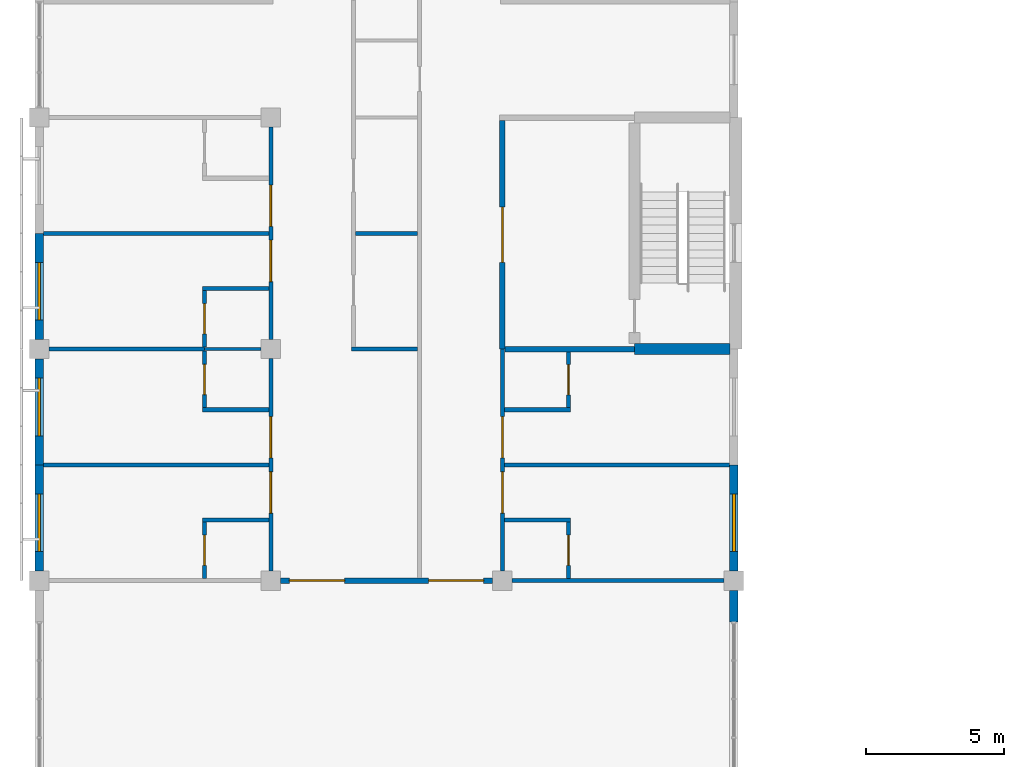
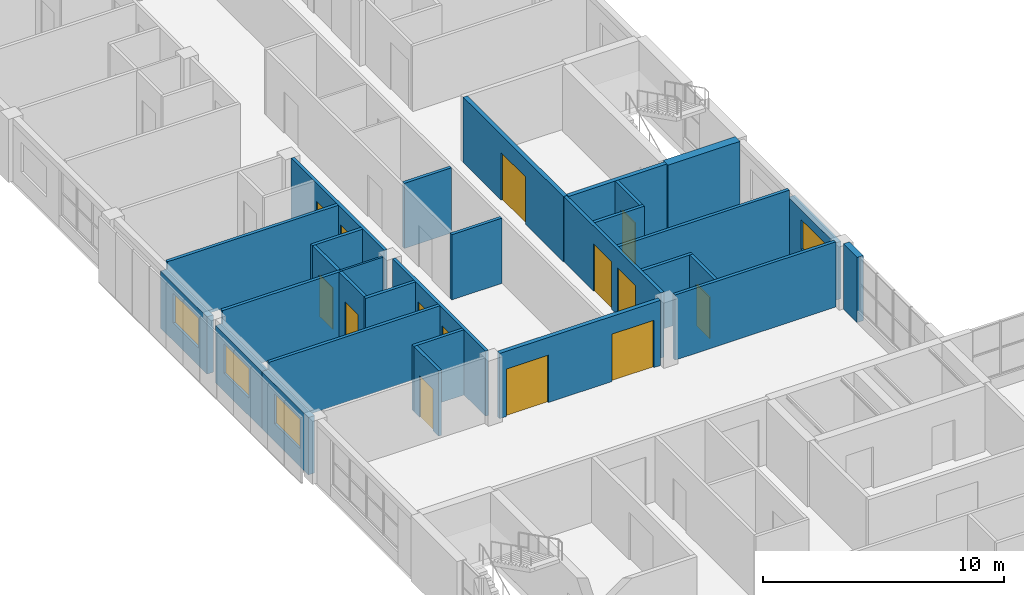
# One storey, part 29 of 48: 30 walls, 14 doors, 4 windows, 18 openings.
"""IFC4 building model written with IfcOpenShell, lengths in metres."""

from ifc_helpers import new_model, si_unit, direction, frame, frame_2d, origin, place, context, subcontext, project, spatial, rectangle, extrude, material, layer, layer_set, type_object, element, fill, save


model = new_model("IFC4")

# Units and contexts
model_context = context("Model", 3, precision=1e-05, world=origin(), true_north=direction((0.0, 1.0)))
body_context = subcontext(model_context, "Body", "Model", "MODEL_VIEW")
ifc_project = project(units=[si_unit("LENGTHUNIT", "METRE"), si_unit("AREAUNIT", "SQUARE_METRE"), si_unit("VOLUMEUNIT", "CUBIC_METRE"), si_unit("PLANEANGLEUNIT", "RADIAN"), si_unit("MASSUNIT", "GRAM", prefix="KILO")], contexts=[model_context])

# Site, building, storey
site_placement = place(None, origin())
site = spatial("IfcSite", under=ifc_project, at=site_placement, CompositionType="ELEMENT")
building_placement = place(site_placement, origin())
building = spatial("IfcBuilding", under=site, at=building_placement, Name="Yavir Park General Hospital", CompositionType="ELEMENT")
storey_placement = place(building_placement, frame((0.0, 0.0, 26.10009765625)))
storey = spatial("IfcBuildingStorey", under=building, at=storey_placement, Name="L06", CompositionType="ELEMENT", Elevation=26.10009765625)

# Wall, openings, doors
ifc_material_1 = material(Name="Double gypsum board fire partition on steel studs", Category="steel")
ifc_layer_1 = layer(ifc_material_1, 0.199951171875)
ifc_layer_set_1 = layer_set([ifc_layer_1], Name="Double gypsum board fire partition on steel studs")
wall_type_1 = type_object("IfcWallType", Name="Fire-rated partition 200, EI 60", PredefinedType="PARTITIONING", material=ifc_layer_set_1)
wall_1_placement = place(storey_placement, frame((8.75, 33.60009765625, 0.0), z_axis=(0.0, 0.0, 1.0), x_axis=(1.0, 0.0, 0.0)))
wall_1 = element("IfcWall", 1, at=wall_1_placement, inside=storey, type_object=wall_type_1, Name="FP20 L06-060", PredefinedType="PARTITIONING", context=body_context, shape_type="SweptSolid", body=[
    extrude(rectangle(XDim=7.699951171875, YDim=0.199951171875, at=frame_2d((3.85009765625, 0.0))), origin(), (0.0, 0.0, 1.0), 3.2998046875),
])
opening_1_placement = place(wall_1_placement, frame((0.324951171875, 0.0, 0.0)))
opening_1 = element("IfcOpeningElement", 2, at=opening_1_placement, cuts=wall_1, Name="Opening L06.D067", PredefinedType="OPENING", context=body_context, shape_type="SweptSolid", body=[
    extrude(rectangle(XDim=2.0, YDim=2.39990234375, at=frame_2d((1.0, 1.199951171875))), frame((0.0, 0.10986328125, 0.0), z_axis=(0.0, -1.0, 0.0), x_axis=(1.0, 0.0, 0.0)), (0.0, 0.0, 1.0), 0.219970703125),
])
opening_2_placement = place(wall_1_placement, frame((5.375, 0.0, 0.0)))
opening_2 = element("IfcOpeningElement", 3, at=opening_2_placement, cuts=wall_1, Name="Opening L06.D068", PredefinedType="OPENING", context=body_context, shape_type="SweptSolid", body=[
    extrude(rectangle(XDim=2.0, YDim=2.39990234375, at=frame_2d((1.0, 1.199951171875))), frame((0.0, 0.10986328125, 0.0), z_axis=(0.0, -1.0, 0.0), x_axis=(1.0, 0.0, 0.0)), (0.0, 0.0, 1.0), 0.219970703125),
])
ifc_material_2 = material(Name="Steel frame, fire-resisting leaves with vision panels", Category="steel")
door_type_1 = type_object("IfcDoorType", Name="Double fire door with vision panels 2000 x 2400, EI 60", OperationType="DOUBLE_DOOR_SINGLE_SWING", PredefinedType="DOOR", material=ifc_material_2)
door_1_placement = place(opening_1_placement, origin())
door_1 = element("IfcDoor", 4, at=door_1_placement, inside=storey, type_object=door_type_1, Name="L06.D067", OperationType="SINGLE_SWING_LEFT", OverallHeight=2.39990234375, OverallWidth=2.0, PredefinedType="DOOR", context=body_context, shape_type="SweptSolid", body=[
    extrude(rectangle(XDim=2.0, YDim=2.39990234375, at=frame_2d((1.0, 1.199951171875))), frame((0.0, 0.030029296875, 0.0), z_axis=(0.0, -1.0, 0.0), x_axis=(1.0, 0.0, 0.0)), (0.0, 0.0, 1.0), 0.06005859375),
])
fill(opening_1, door_1)
door_2_placement = place(opening_2_placement, origin())
door_2 = element("IfcDoor", 5, at=door_2_placement, inside=storey, type_object=door_type_1, Name="L06.D068", OperationType="SINGLE_SWING_RIGHT", OverallHeight=2.39990234375, OverallWidth=2.0, PredefinedType="DOOR", context=body_context, shape_type="SweptSolid", body=[
    extrude(rectangle(XDim=2.0, YDim=2.39990234375, at=frame_2d((1.0, 1.199951171875))), frame((0.0, 0.030029296875, 0.0), z_axis=(0.0, -1.0, 0.0), x_axis=(1.0, 0.0, 0.0)), (0.0, 0.0, 1.0), 0.06005859375),
])
fill(opening_2, door_2)

# Wall
wall_2_placement = place(storey_placement, frame((16.89990234375, 42.0, 0.0), z_axis=(0.0, 0.0, 1.0), x_axis=(1.0, 0.0, 0.0)))
element("IfcWall", 6, at=wall_2_placement, inside=storey, type_object=wall_type_1, Name="FP20 L06-071", PredefinedType="PARTITIONING", context=body_context, shape_type="SweptSolid", body=[
    extrude(rectangle(XDim=4.7001953125, YDim=0.199951171875, at=frame_2d((2.35009765625, 0.0))), origin(), (0.0, 0.0, 1.0), 3.2998046875),
])

# Wall, opening, door
wall_3_placement = place(storey_placement, frame((16.800048828125, 42.0, 0.0), z_axis=(0.0, 0.0, 1.0), x_axis=(0.0, 1.0, 0.0)))
wall_3 = element("IfcWall", 7, at=wall_3_placement, inside=storey, type_object=wall_type_1, Name="FP20 L06-178", PredefinedType="PARTITIONING", context=body_context, shape_type="SweptSolid", body=[
    extrude(rectangle(XDim=8.300048828125, YDim=0.199951171875, at=frame_2d((4.14990234375, 0.0))), origin(), (0.0, 0.0, 1.0), 3.2998046875),
])
opening_3_placement = place(wall_3_placement, frame((3.14990234375, 0.0, 0.0)))
opening_3 = element("IfcOpeningElement", 8, at=opening_3_placement, cuts=wall_3, Name="Opening L06.D116", PredefinedType="OPENING", context=body_context, shape_type="SweptSolid", body=[
    extrude(rectangle(XDim=2.0, YDim=2.39990234375, at=frame_2d((1.0, 1.199951171875))), frame((0.0, 0.10986328125, 0.0), z_axis=(0.0, -1.0, 0.0), x_axis=(1.0, 0.0, 0.0)), (0.0, 0.0, 1.0), 0.219970703125),
])
door_3_placement = place(opening_3_placement, origin())
door_3 = element("IfcDoor", 9, at=door_3_placement, inside=storey, type_object=door_type_1, Name="L06.D116", OperationType="SINGLE_SWING_LEFT", OverallHeight=2.39990234375, OverallWidth=2.0, PredefinedType="DOOR", context=body_context, shape_type="SweptSolid", body=[
    extrude(rectangle(XDim=2.0, YDim=2.39990234375, at=frame_2d((1.0, 1.199951171875))), frame((0.0, 0.030029296875, 0.0), z_axis=(0.0, -1.0, 0.0), x_axis=(1.0, 0.0, 0.0)), (0.0, 0.0, 1.0), 0.06005859375),
])
fill(opening_3, door_3)

# Walls
ifc_material_3 = material(Name="Gypsum board partition on steel studs", Category="steel")
ifc_layer_2 = layer(ifc_material_3, 0.10009765625)
ifc_layer_set_2 = layer_set([ifc_layer_2], Name="Gypsum board partition on steel studs")
wall_type_2 = type_object("IfcWallType", Name="Gypsum board partition 100", PredefinedType="PARTITIONING", material=ifc_layer_set_2)
wall_4_placement = place(storey_placement, frame((6.0, 42.0, 0.0), z_axis=(0.0, 0.0, 1.0), x_axis=(1.0, 0.0, 0.0)))
element("IfcWall", 10, at=wall_4_placement, inside=storey, type_object=wall_type_2, Name="P10 L06-069", PredefinedType="PARTITIONING", context=body_context, shape_type="SweptSolid", body=[
    extrude(rectangle(XDim=2.050048828125, YDim=0.10009765625, at=frame_2d((1.02490234375, 0.0))), origin(), (0.0, 0.0, 1.0), 3.2998046875),
])
ifc_material_4 = material(Name="Gypsum board partition on steel studs", Category="steel")
ifc_layer_3 = layer(ifc_material_4, 0.14990234375)
ifc_layer_set_3 = layer_set([ifc_layer_3], Name="Gypsum board partition on steel studs")
wall_type_3 = type_object("IfcWallType", Name="Gypsum board partition 150", PredefinedType="PARTITIONING", material=ifc_layer_set_3)
wall_5_placement = place(storey_placement, frame((17.14990234375, 33.60009765625, 0.0), z_axis=(0.0, 0.0, 1.0), x_axis=(1.0, 0.0, 0.0)))
element("IfcWall", 11, at=wall_5_placement, inside=storey, type_object=wall_type_3, Name="P15 L06-061", PredefinedType="PARTITIONING", context=body_context, shape_type="SweptSolid", body=[
    extrude(rectangle(XDim=7.7001953125, YDim=0.14990234375, at=frame_2d((3.85009765625, 0.0))), origin(), (0.0, 0.0, 1.0), 3.2998046875),
])
for number, where, z_axis, x_axis, name in (
    (12, (5.925048828125, 35.800048828125, 0.0), (0.0, 0.0, 1.0), (1.0, 0.0, 0.0), "P15 L06-062"),
    (13, (16.875, 35.800048828125, 0.0), (0.0, 0.0, 1.0), (1.0, 0.0, 0.0), "P15 L06-063"),
):
    element("IfcWall", number, at=place(storey_placement, frame(where, z_axis=z_axis, x_axis=x_axis)), inside=storey, type_object=wall_type_3, Name=name, PredefinedType="PARTITIONING", context=body_context, shape_type="SweptSolid", body=[
        extrude(rectangle(XDim=2.39990234375, YDim=0.14990234375, at=frame_2d((1.199951171875, 0.0))), origin(), (0.0, 0.0, 1.0), 3.2998046875),
    ])
for number, where, z_axis, x_axis, name in (
    (14, (0.14990234375, 37.800048828125, 0.0), (0.0, 0.0, 1.0), (1.0, 0.0, 0.0), "P15 L06-064"),
    (15, (16.875, 37.800048828125, 0.0), (0.0, 0.0, 1.0), (1.0, 0.0, 0.0), "P15 L06-065"),
):
    element("IfcWall", number, at=place(storey_placement, frame(where, z_axis=z_axis, x_axis=x_axis)), inside=storey, type_object=wall_type_3, Name=name, PredefinedType="PARTITIONING", context=body_context, shape_type="SweptSolid", body=[
        extrude(rectangle(XDim=8.175048828125, YDim=0.14990234375, at=frame_2d((4.08740234375, 0.0))), origin(), (0.0, 0.0, 1.0), 3.2998046875),
    ])
for number, where, z_axis, x_axis, name in (
    (16, (5.925048828125, 39.800048828125, 0.0), (0.0, 0.0, 1.0), (1.0, 0.0, 0.0), "P15 L06-066"),
    (17, (16.875, 39.800048828125, 0.0), (0.0, 0.0, 1.0), (1.0, 0.0, 0.0), "P15 L06-067"),
):
    element("IfcWall", number, at=place(storey_placement, frame(where, z_axis=z_axis, x_axis=x_axis)), inside=storey, type_object=wall_type_3, Name=name, PredefinedType="PARTITIONING", context=body_context, shape_type="SweptSolid", body=[
        extrude(rectangle(XDim=2.39990234375, YDim=0.14990234375, at=frame_2d((1.199951171875, 0.0))), origin(), (0.0, 0.0, 1.0), 3.2998046875),
    ])
wall_6_placement = place(storey_placement, frame((0.35009765625, 42.0, 0.0), z_axis=(0.0, 0.0, 1.0), x_axis=(1.0, 0.0, 0.0)))
element("IfcWall", 18, at=wall_6_placement, inside=storey, type_object=wall_type_3, Name="P15 L06-068", PredefinedType="PARTITIONING", context=body_context, shape_type="SweptSolid", body=[
    extrude(rectangle(XDim=5.64990234375, YDim=0.14990234375, at=frame_2d((2.824951171875, 0.0))), origin(), (0.0, 0.0, 1.0), 3.2998046875),
])
wall_7_placement = place(storey_placement, frame((11.324951171875, 42.0, 0.0), z_axis=(0.0, 0.0, 1.0), x_axis=(1.0, 0.0, 0.0)))
element("IfcWall", 19, at=wall_7_placement, inside=storey, type_object=wall_type_3, Name="P15 L06-070", PredefinedType="PARTITIONING", context=body_context, shape_type="SweptSolid", body=[
    extrude(rectangle(XDim=2.400146484375, YDim=0.14990234375, at=frame_2d((1.2001953125, 0.0))), origin(), (0.0, 0.0, 1.0), 3.2998046875),
])
wall_8_placement = place(storey_placement, frame((5.925048828125, 44.199951171875, 0.0), z_axis=(0.0, 0.0, 1.0), x_axis=(1.0, 0.0, 0.0)))
element("IfcWall", 20, at=wall_8_placement, inside=storey, type_object=wall_type_3, Name="P15 L06-073", PredefinedType="PARTITIONING", context=body_context, shape_type="SweptSolid", body=[
    extrude(rectangle(XDim=2.39990234375, YDim=0.14990234375, at=frame_2d((1.199951171875, 0.0))), origin(), (0.0, 0.0, 1.0), 3.2998046875),
])
wall_9_placement = place(storey_placement, frame((0.14990234375, 46.199951171875, 0.0), z_axis=(0.0, 0.0, 1.0), x_axis=(1.0, 0.0, 0.0)))
element("IfcWall", 21, at=wall_9_placement, inside=storey, type_object=wall_type_3, Name="P15 L06-074", PredefinedType="PARTITIONING", context=body_context, shape_type="SweptSolid", body=[
    extrude(rectangle(XDim=8.175048828125, YDim=0.14990234375, at=frame_2d((4.08740234375, 0.0))), origin(), (0.0, 0.0, 1.0), 3.2998046875),
])
wall_10_placement = place(storey_placement, frame((11.47509765625, 46.199951171875, 0.0), z_axis=(0.0, 0.0, 1.0), x_axis=(1.0, 0.0, 0.0)))
element("IfcWall", 22, at=wall_10_placement, inside=storey, type_object=wall_type_3, Name="P15 L06-075", PredefinedType="PARTITIONING", context=body_context, shape_type="SweptSolid", body=[
    extrude(rectangle(XDim=2.25, YDim=0.14990234375, at=frame_2d((1.125, 0.0))), origin(), (0.0, 0.0, 1.0), 3.2998046875),
])

# Wall, opening, door
wall_11_placement = place(storey_placement, frame((6.0, 33.675048828125, 0.0), z_axis=(0.0, 0.0, 1.0), x_axis=(0.0, 1.0, 0.0)))
wall_11 = element("IfcWall", 23, at=wall_11_placement, inside=storey, type_object=wall_type_3, Name="P15 L06-137", PredefinedType="PARTITIONING", context=body_context, shape_type="SweptSolid", body=[
    extrude(rectangle(XDim=2.050048828125, YDim=0.14990234375, at=frame_2d((1.02490234375, 0.0))), origin(), (0.0, 0.0, 1.0), 3.2998046875),
])
opening_4_placement = place(wall_11_placement, frame((0.47509765625, 0.0, 0.0)))
opening_4 = element("IfcOpeningElement", 24, at=opening_4_placement, cuts=wall_11, Name="Opening L06.D077", PredefinedType="OPENING", context=body_context, shape_type="SweptSolid", body=[
    extrude(rectangle(XDim=1.10009765625, YDim=2.10009765625, at=frame_2d((0.550048828125, 1.050048828125))), frame((0.0, 0.0849609375, 0.0), z_axis=(0.0, -1.0, 0.0), x_axis=(1.0, 0.0, 0.0)), (0.0, 0.0, 1.0), 0.169921875),
])
ifc_material_5 = material(Name="Hollow metal frame, solid-core timber leaf", Category="wood")
door_type_2 = type_object("IfcDoorType", Name="Single swing door 1100 x 2100", OperationType="SINGLE_SWING_LEFT", PredefinedType="DOOR", material=ifc_material_5)
door_4_placement = place(opening_4_placement, origin())
door_4 = element("IfcDoor", 25, at=door_4_placement, inside=storey, type_object=door_type_2, Name="L06.D077", OperationType="SINGLE_SWING_RIGHT", OverallHeight=2.10009765625, OverallWidth=1.10009765625, PredefinedType="DOOR", context=body_context, shape_type="SweptSolid", body=[
    extrude(rectangle(XDim=1.10009765625, YDim=2.10009765625, at=frame_2d((0.550048828125, 1.050048828125))), frame((0.0, 0.02490234375, 0.0), z_axis=(0.0, -1.0, 0.0), x_axis=(1.0, 0.0, 0.0)), (0.0, 0.0, 1.0), 0.050048828125),
])
fill(opening_4, door_4)

wall_12_placement = place(storey_placement, frame((6.0, 39.875, 0.0), z_axis=(0.0, 0.0, 1.0), x_axis=(0.0, 1.0, 0.0)))
wall_12 = element("IfcWall", 26, at=wall_12_placement, inside=storey, type_object=wall_type_3, Name="P15 L06-138", PredefinedType="PARTITIONING", context=body_context, shape_type="SweptSolid", body=[
    extrude(rectangle(XDim=2.050048828125, YDim=0.14990234375, at=frame_2d((1.02490234375, 0.0))), origin(), (0.0, 0.0, 1.0), 3.2998046875),
])
opening_5_placement = place(wall_12_placement, frame((0.47509765625, 0.0, 0.0)))
opening_5 = element("IfcOpeningElement", 27, at=opening_5_placement, cuts=wall_12, Name="Opening L06.D078", PredefinedType="OPENING", context=body_context, shape_type="SweptSolid", body=[
    extrude(rectangle(XDim=1.10009765625, YDim=2.10009765625, at=frame_2d((0.550048828125, 1.050048828125))), frame((0.0, 0.0849609375, 0.0), z_axis=(0.0, -1.0, 0.0), x_axis=(1.0, 0.0, 0.0)), (0.0, 0.0, 1.0), 0.169921875),
])
door_5_placement = place(opening_5_placement, origin())
door_5 = element("IfcDoor", 28, at=door_5_placement, inside=storey, type_object=door_type_2, Name="L06.D078", OperationType="SINGLE_SWING_LEFT", OverallHeight=2.10009765625, OverallWidth=1.10009765625, PredefinedType="DOOR", context=body_context, shape_type="SweptSolid", body=[
    extrude(rectangle(XDim=1.10009765625, YDim=2.10009765625, at=frame_2d((0.550048828125, 1.050048828125))), frame((0.0, 0.02490234375, 0.0), z_axis=(0.0, -1.0, 0.0), x_axis=(1.0, 0.0, 0.0)), (0.0, 0.0, 1.0), 0.050048828125),
])
fill(opening_5, door_5)

wall_13_placement = place(storey_placement, frame((6.0, 42.074951171875, 0.0), z_axis=(0.0, 0.0, 1.0), x_axis=(0.0, 1.0, 0.0)))
wall_13 = element("IfcWall", 29, at=wall_13_placement, inside=storey, type_object=wall_type_3, Name="P15 L06-139", PredefinedType="PARTITIONING", context=body_context, shape_type="SweptSolid", body=[
    extrude(rectangle(XDim=2.050048828125, YDim=0.14990234375, at=frame_2d((1.02490234375, 0.0))), origin(), (0.0, 0.0, 1.0), 3.2998046875),
])
opening_6_placement = place(wall_13_placement, frame((0.47509765625, 0.0, 0.0)))
opening_6 = element("IfcOpeningElement", 30, at=opening_6_placement, cuts=wall_13, Name="Opening L06.D079", PredefinedType="OPENING", context=body_context, shape_type="SweptSolid", body=[
    extrude(rectangle(XDim=1.10009765625, YDim=2.10009765625, at=frame_2d((0.550048828125, 1.050048828125))), frame((0.0, 0.0849609375, 0.0), z_axis=(0.0, -1.0, 0.0), x_axis=(1.0, 0.0, 0.0)), (0.0, 0.0, 1.0), 0.169921875),
])
door_6_placement = place(opening_6_placement, origin())
door_6 = element("IfcDoor", 31, at=door_6_placement, inside=storey, type_object=door_type_2, Name="L06.D079", OperationType="SINGLE_SWING_RIGHT", OverallHeight=2.10009765625, OverallWidth=1.10009765625, PredefinedType="DOOR", context=body_context, shape_type="SweptSolid", body=[
    extrude(rectangle(XDim=1.10009765625, YDim=2.10009765625, at=frame_2d((0.550048828125, 1.050048828125))), frame((0.0, 0.02490234375, 0.0), z_axis=(0.0, -1.0, 0.0), x_axis=(1.0, 0.0, 0.0)), (0.0, 0.0, 1.0), 0.050048828125),
])
fill(opening_6, door_6)

# Wall, openings, doors
wall_14_placement = place(storey_placement, frame((8.39990234375, 33.949951171875, 0.0), z_axis=(0.0, 0.0, 1.0), x_axis=(0.0, 1.0, 0.0)))
wall_14 = element("IfcWall", 32, at=wall_14_placement, inside=storey, type_object=wall_type_3, Name="P15 L06-151", PredefinedType="PARTITIONING", context=body_context, shape_type="SweptSolid", body=[
    extrude(rectangle(XDim=7.699951171875, YDim=0.14990234375, at=frame_2d((3.85009765625, 0.0))), origin(), (0.0, 0.0, 1.0), 3.2998046875),
])
opening_7_placement = place(wall_14_placement, frame((2.10009765625, 0.0, 0.0)))
opening_7 = element("IfcOpeningElement", 33, at=opening_7_placement, cuts=wall_14, Name="Opening L06.D086", PredefinedType="OPENING", context=body_context, shape_type="SweptSolid", body=[
    extrude(rectangle(XDim=1.5, YDim=2.39990234375, at=frame_2d((0.75, 1.199951171875))), frame((0.0, 0.0849609375, 0.0), z_axis=(0.0, -1.0, 0.0), x_axis=(1.0, 0.0, 0.0)), (0.0, 0.0, 1.0), 0.169921875),
])
opening_8_placement = place(wall_14_placement, frame((4.10009765625, 0.0, 0.0)))
opening_8 = element("IfcOpeningElement", 34, at=opening_8_placement, cuts=wall_14, Name="Opening L06.D087", PredefinedType="OPENING", context=body_context, shape_type="SweptSolid", body=[
    extrude(rectangle(XDim=1.5, YDim=2.39990234375, at=frame_2d((0.75, 1.199951171875))), frame((0.0, 0.0849609375, 0.0), z_axis=(0.0, -1.0, 0.0), x_axis=(1.0, 0.0, 0.0)), (0.0, 0.0, 1.0), 0.169921875),
])
ifc_material_6 = material(Name="Solid-core timber leaves, push plates, kick plates", Category="wood")
door_type_3 = type_object("IfcDoorType", Name="Bed door, unequal leaves 1500 x 2400", OperationType="DOUBLE_DOOR_SINGLE_SWING", PredefinedType="DOOR", material=ifc_material_6)
door_7_placement = place(opening_7_placement, origin())
door_7 = element("IfcDoor", 35, at=door_7_placement, inside=storey, type_object=door_type_3, Name="L06.D086", OperationType="SINGLE_SWING_RIGHT", OverallHeight=2.39990234375, OverallWidth=1.5, PredefinedType="DOOR", context=body_context, shape_type="SweptSolid", body=[
    extrude(rectangle(XDim=1.5, YDim=2.39990234375, at=frame_2d((0.75, 1.199951171875))), frame((0.0, 0.030029296875, 0.0), z_axis=(0.0, -1.0, 0.0), x_axis=(1.0, 0.0, 0.0)), (0.0, 0.0, 1.0), 0.06005859375),
])
fill(opening_7, door_7)
door_8_placement = place(opening_8_placement, origin())
door_8 = element("IfcDoor", 36, at=door_8_placement, inside=storey, type_object=door_type_3, Name="L06.D087", OperationType="SINGLE_SWING_RIGHT", OverallHeight=2.39990234375, OverallWidth=1.5, PredefinedType="DOOR", context=body_context, shape_type="SweptSolid", body=[
    extrude(rectangle(XDim=1.5, YDim=2.39990234375, at=frame_2d((0.75, 1.199951171875))), frame((0.0, 0.030029296875, 0.0), z_axis=(0.0, -1.0, 0.0), x_axis=(1.0, 0.0, 0.0)), (0.0, 0.0, 1.0), 0.06005859375),
])
fill(opening_8, door_8)

wall_15_placement = place(storey_placement, frame((8.39990234375, 42.35009765625, 0.0), z_axis=(0.0, 0.0, 1.0), x_axis=(0.0, 1.0, 0.0)))
wall_15 = element("IfcWall", 37, at=wall_15_placement, inside=storey, type_object=wall_type_3, Name="P15 L06-152", PredefinedType="PARTITIONING", context=body_context, shape_type="SweptSolid", body=[
    extrude(rectangle(XDim=7.699951171875, YDim=0.14990234375, at=frame_2d((3.85009765625, 0.0))), origin(), (0.0, 0.0, 1.0), 3.2998046875),
])
opening_9_placement = place(wall_15_placement, frame((2.10009765625, 0.0, 0.0)))
opening_9 = element("IfcOpeningElement", 38, at=opening_9_placement, cuts=wall_15, Name="Opening L06.D088", PredefinedType="OPENING", context=body_context, shape_type="SweptSolid", body=[
    extrude(rectangle(XDim=1.5, YDim=2.39990234375, at=frame_2d((0.75, 1.199951171875))), frame((0.0, 0.0849609375, 0.0), z_axis=(0.0, -1.0, 0.0), x_axis=(1.0, 0.0, 0.0)), (0.0, 0.0, 1.0), 0.169921875),
])
opening_10_placement = place(wall_15_placement, frame((4.10009765625, 0.0, 0.0)))
opening_10 = element("IfcOpeningElement", 39, at=opening_10_placement, cuts=wall_15, Name="Opening L06.D089", PredefinedType="OPENING", context=body_context, shape_type="SweptSolid", body=[
    extrude(rectangle(XDim=1.5, YDim=2.39990234375, at=frame_2d((0.75, 1.199951171875))), frame((0.0, 0.0849609375, 0.0), z_axis=(0.0, -1.0, 0.0), x_axis=(1.0, 0.0, 0.0)), (0.0, 0.0, 1.0), 0.169921875),
])
door_9_placement = place(opening_9_placement, origin())
door_9 = element("IfcDoor", 40, at=door_9_placement, inside=storey, type_object=door_type_3, Name="L06.D088", OperationType="SINGLE_SWING_RIGHT", OverallHeight=2.39990234375, OverallWidth=1.5, PredefinedType="DOOR", context=body_context, shape_type="SweptSolid", body=[
    extrude(rectangle(XDim=1.5, YDim=2.39990234375, at=frame_2d((0.75, 1.199951171875))), frame((0.0, 0.030029296875, 0.0), z_axis=(0.0, -1.0, 0.0), x_axis=(1.0, 0.0, 0.0)), (0.0, 0.0, 1.0), 0.06005859375),
])
fill(opening_9, door_9)
door_10_placement = place(opening_10_placement, origin())
door_10 = element("IfcDoor", 41, at=door_10_placement, inside=storey, type_object=door_type_3, Name="L06.D089", OperationType="SINGLE_SWING_RIGHT", OverallHeight=2.39990234375, OverallWidth=1.5, PredefinedType="DOOR", context=body_context, shape_type="SweptSolid", body=[
    extrude(rectangle(XDim=1.5, YDim=2.39990234375, at=frame_2d((0.75, 1.199951171875))), frame((0.0, 0.030029296875, 0.0), z_axis=(0.0, -1.0, 0.0), x_axis=(1.0, 0.0, 0.0)), (0.0, 0.0, 1.0), 0.06005859375),
])
fill(opening_10, door_10)

wall_16_placement = place(storey_placement, frame((16.800048828125, 33.949951171875, 0.0), z_axis=(0.0, 0.0, 1.0), x_axis=(0.0, 1.0, 0.0)))
wall_16 = element("IfcWall", 42, at=wall_16_placement, inside=storey, type_object=wall_type_3, Name="P15 L06-177", PredefinedType="PARTITIONING", context=body_context, shape_type="SweptSolid", body=[
    extrude(rectangle(XDim=8.050048828125, YDim=0.14990234375, at=frame_2d((4.02490234375, 0.0))), origin(), (0.0, 0.0, 1.0), 3.2998046875),
])
opening_11_placement = place(wall_16_placement, frame((2.10009765625, 0.0, 0.0)))
opening_11 = element("IfcOpeningElement", 43, at=opening_11_placement, cuts=wall_16, Name="Opening L06.D114", PredefinedType="OPENING", context=body_context, shape_type="SweptSolid", body=[
    extrude(rectangle(XDim=1.5, YDim=2.39990234375, at=frame_2d((0.75, 1.199951171875))), frame((0.0, 0.0849609375, 0.0), z_axis=(0.0, -1.0, 0.0), x_axis=(1.0, 0.0, 0.0)), (0.0, 0.0, 1.0), 0.169921875),
])
opening_12_placement = place(wall_16_placement, frame((4.10009765625, 0.0, 0.0)))
opening_12 = element("IfcOpeningElement", 44, at=opening_12_placement, cuts=wall_16, Name="Opening L06.D115", PredefinedType="OPENING", context=body_context, shape_type="SweptSolid", body=[
    extrude(rectangle(XDim=1.5, YDim=2.39990234375, at=frame_2d((0.75, 1.199951171875))), frame((0.0, 0.0849609375, 0.0), z_axis=(0.0, -1.0, 0.0), x_axis=(1.0, 0.0, 0.0)), (0.0, 0.0, 1.0), 0.169921875),
])
door_11_placement = place(opening_11_placement, origin())
door_11 = element("IfcDoor", 45, at=door_11_placement, inside=storey, type_object=door_type_3, Name="L06.D114", OperationType="SINGLE_SWING_LEFT", OverallHeight=2.39990234375, OverallWidth=1.5, PredefinedType="DOOR", context=body_context, shape_type="SweptSolid", body=[
    extrude(rectangle(XDim=1.5, YDim=2.39990234375, at=frame_2d((0.75, 1.199951171875))), frame((0.0, 0.030029296875, 0.0), z_axis=(0.0, -1.0, 0.0), x_axis=(1.0, 0.0, 0.0)), (0.0, 0.0, 1.0), 0.06005859375),
])
fill(opening_11, door_11)
door_12_placement = place(opening_12_placement, origin())
door_12 = element("IfcDoor", 46, at=door_12_placement, inside=storey, type_object=door_type_3, Name="L06.D115", OperationType="SINGLE_SWING_LEFT", OverallHeight=2.39990234375, OverallWidth=1.5, PredefinedType="DOOR", context=body_context, shape_type="SweptSolid", body=[
    extrude(rectangle(XDim=1.5, YDim=2.39990234375, at=frame_2d((0.75, 1.199951171875))), frame((0.0, 0.030029296875, 0.0), z_axis=(0.0, -1.0, 0.0), x_axis=(1.0, 0.0, 0.0)), (0.0, 0.0, 1.0), 0.06005859375),
])
fill(opening_12, door_12)

# Wall, opening, door
wall_17_placement = place(storey_placement, frame((19.199951171875, 33.675048828125, 0.0), z_axis=(0.0, 0.0, 1.0), x_axis=(0.0, 1.0, 0.0)))
wall_17 = element("IfcWall", 47, at=wall_17_placement, inside=storey, type_object=wall_type_3, Name="P15 L06-186", PredefinedType="PARTITIONING", context=body_context, shape_type="SweptSolid", body=[
    extrude(rectangle(XDim=2.050048828125, YDim=0.14990234375, at=frame_2d((1.02490234375, 0.0))), origin(), (0.0, 0.0, 1.0), 3.2998046875),
])
opening_13_placement = place(wall_17_placement, frame((0.47509765625, 0.0, 0.0)))
opening_13 = element("IfcOpeningElement", 48, at=opening_13_placement, cuts=wall_17, Name="Opening L06.D127", PredefinedType="OPENING", context=body_context, shape_type="SweptSolid", body=[
    extrude(rectangle(XDim=1.10009765625, YDim=2.10009765625, at=frame_2d((0.550048828125, 1.050048828125))), frame((0.0, 0.0849609375, 0.0), z_axis=(0.0, -1.0, 0.0), x_axis=(1.0, 0.0, 0.0)), (0.0, 0.0, 1.0), 0.169921875),
])
door_13_placement = place(opening_13_placement, origin())
door_13 = element("IfcDoor", 49, at=door_13_placement, inside=storey, type_object=door_type_2, Name="L06.D127", OperationType="SINGLE_SWING_LEFT", OverallHeight=2.10009765625, OverallWidth=1.10009765625, PredefinedType="DOOR", context=body_context, shape_type="SweptSolid", body=[
    extrude(rectangle(XDim=1.10009765625, YDim=2.10009765625, at=frame_2d((0.550048828125, 1.050048828125))), frame((0.0, 0.02490234375, 0.0), z_axis=(0.0, -1.0, 0.0), x_axis=(1.0, 0.0, 0.0)), (0.0, 0.0, 1.0), 0.050048828125),
])
fill(opening_13, door_13)

wall_18_placement = place(storey_placement, frame((19.199951171875, 39.875, 0.0), z_axis=(0.0, 0.0, 1.0), x_axis=(0.0, 1.0, 0.0)))
wall_18 = element("IfcWall", 50, at=wall_18_placement, inside=storey, type_object=wall_type_3, Name="P15 L06-187", PredefinedType="PARTITIONING", context=body_context, shape_type="SweptSolid", body=[
    extrude(rectangle(XDim=2.02490234375, YDim=0.14990234375, at=frame_2d((1.012451171875, 0.0))), origin(), (0.0, 0.0, 1.0), 3.2998046875),
])
opening_14_placement = place(wall_18_placement, frame((0.46240234375, 0.0, 0.0)))
opening_14 = element("IfcOpeningElement", 51, at=opening_14_placement, cuts=wall_18, Name="Opening L06.D128", PredefinedType="OPENING", context=body_context, shape_type="SweptSolid", body=[
    extrude(rectangle(XDim=1.10009765625, YDim=2.10009765625, at=frame_2d((0.550048828125, 1.050048828125))), frame((0.0, 0.0849609375, 0.0), z_axis=(0.0, -1.0, 0.0), x_axis=(1.0, 0.0, 0.0)), (0.0, 0.0, 1.0), 0.169921875),
])
door_14_placement = place(opening_14_placement, origin())
door_14 = element("IfcDoor", 52, at=door_14_placement, inside=storey, type_object=door_type_2, Name="L06.D128", OperationType="SINGLE_SWING_RIGHT", OverallHeight=2.10009765625, OverallWidth=1.10009765625, PredefinedType="DOOR", context=body_context, shape_type="SweptSolid", body=[
    extrude(rectangle(XDim=1.10009765625, YDim=2.10009765625, at=frame_2d((0.550048828125, 1.050048828125))), frame((0.0, 0.02490234375, 0.0), z_axis=(0.0, -1.0, 0.0), x_axis=(1.0, 0.0, 0.0)), (0.0, 0.0, 1.0), 0.050048828125),
])
fill(opening_14, door_14)

# Wall, opening, window
ifc_material_7 = material(Name="Autoclaved aerated block, mineral wool and ochre mineral render")
ifc_layer_4 = layer(ifc_material_7, 0.300048828125)
ifc_layer_set_4 = layer_set([ifc_layer_4], Name="Autoclaved aerated block, mineral wool and ochre mineral render")
wall_type_4 = type_object("IfcWallType", Name="Ochre render ward wall 300, E 30", PredefinedType="SOLIDWALL", material=ifc_layer_set_4)
wall_19_placement = place(storey_placement, frame((0.0, 33.949951171875, 0.0), z_axis=(0.0, 0.0, 1.0), x_axis=(0.0, 1.0, 0.0)))
wall_19 = element("IfcWall", 53, at=wall_19_placement, inside=storey, type_object=wall_type_4, Name="XW7 L06-080", PredefinedType="SOLIDWALL", context=body_context, shape_type="SweptSolid", body=[
    extrude(rectangle(XDim=3.85009765625, YDim=0.300048828125, at=frame_2d((1.925048828125, 0.0))), origin(), (0.0, 0.0, 1.0), 2.89990234375),
])
opening_15_placement = place(wall_19_placement, frame((0.699951171875, 0.0, 0.89990234375)))
opening_15 = element("IfcOpeningElement", 54, at=opening_15_placement, cuts=wall_19, Name="Opening WAR", PredefinedType="OPENING", context=body_context, shape_type="SweptSolid", body=[
    extrude(rectangle(XDim=2.10009765625, YDim=1.5, at=frame_2d((1.050048828125, 0.75))), frame((0.0, 0.159912109375, 0.0), z_axis=(0.0, -1.0, 0.0), x_axis=(1.0, 0.0, 0.0)), (0.0, 0.0, 1.0), 0.320068359375),
])
ifc_material_8 = material(Name="Aluminium frame, tilt-and-turn sash with opening restrictor, double glazed unit", Category="aluminium")
window_type = type_object("IfcWindowType", Name="Ward window, restricted opening 2100 x 1500", PartitioningType="DOUBLE_PANEL_VERTICAL", PredefinedType="WINDOW", material=ifc_material_8)
window_1_placement = place(opening_15_placement, origin())
window_1 = element("IfcWindow", 55, at=window_1_placement, inside=storey, type_object=window_type, Name="WAR L06-026", OverallHeight=1.5, OverallWidth=2.10009765625, PartitioningType="DOUBLE_PANEL_VERTICAL", PredefinedType="WINDOW", context=body_context, shape_type="SweptSolid", body=[
    extrude(rectangle(XDim=2.10009765625, YDim=1.5, at=frame_2d((1.050048828125, 0.75))), frame((0.0, 0.050048828125, 0.0), z_axis=(0.0, -1.0, 0.0), x_axis=(1.0, 0.0, 0.0)), (0.0, 0.0, 1.0), 0.10009765625),
])
fill(opening_15, window_1)

wall_20_placement = place(storey_placement, frame((0.0, 37.800048828125, 0.0), z_axis=(0.0, 0.0, 1.0), x_axis=(0.0, 1.0, 0.0)))
wall_20 = element("IfcWall", 56, at=wall_20_placement, inside=storey, type_object=wall_type_4, Name="XW7 L06-081", PredefinedType="SOLIDWALL", context=body_context, shape_type="SweptSolid", body=[
    extrude(rectangle(XDim=3.849853515625, YDim=0.300048828125, at=frame_2d((1.9248046875, 0.0))), origin(), (0.0, 0.0, 1.0), 2.89990234375),
])
opening_16_placement = place(wall_20_placement, frame((1.050048828125, 0.0, 0.89990234375)))
opening_16 = element("IfcOpeningElement", 57, at=opening_16_placement, cuts=wall_20, Name="Opening WAR", PredefinedType="OPENING", context=body_context, shape_type="SweptSolid", body=[
    extrude(rectangle(XDim=2.10009765625, YDim=1.5, at=frame_2d((1.050048828125, 0.75))), frame((0.0, 0.159912109375, 0.0), z_axis=(0.0, -1.0, 0.0), x_axis=(1.0, 0.0, 0.0)), (0.0, 0.0, 1.0), 0.320068359375),
])
window_2_placement = place(opening_16_placement, origin())
window_2 = element("IfcWindow", 58, at=window_2_placement, inside=storey, type_object=window_type, Name="WAR L06-027", OverallHeight=1.5, OverallWidth=2.10009765625, PartitioningType="DOUBLE_PANEL_VERTICAL", PredefinedType="WINDOW", context=body_context, shape_type="SweptSolid", body=[
    extrude(rectangle(XDim=2.10009765625, YDim=1.5, at=frame_2d((1.050048828125, 0.75))), frame((0.0, 0.050048828125, 0.0), z_axis=(0.0, -1.0, 0.0), x_axis=(1.0, 0.0, 0.0)), (0.0, 0.0, 1.0), 0.10009765625),
])
fill(opening_16, window_2)

wall_21_placement = place(storey_placement, frame((0.0, 42.35009765625, 0.0), z_axis=(0.0, 0.0, 1.0), x_axis=(0.0, 1.0, 0.0)))
wall_21 = element("IfcWall", 59, at=wall_21_placement, inside=storey, type_object=wall_type_4, Name="XW7 L06-082", PredefinedType="SOLIDWALL", context=body_context, shape_type="SweptSolid", body=[
    extrude(rectangle(XDim=3.849853515625, YDim=0.300048828125, at=frame_2d((1.9248046875, 0.0))), origin(), (0.0, 0.0, 1.0), 2.89990234375),
])
opening_17_placement = place(wall_21_placement, frame((0.699951171875, 0.0, 0.89990234375)))
opening_17 = element("IfcOpeningElement", 60, at=opening_17_placement, cuts=wall_21, Name="Opening WAR", PredefinedType="OPENING", context=body_context, shape_type="SweptSolid", body=[
    extrude(rectangle(XDim=2.10009765625, YDim=1.5, at=frame_2d((1.050048828125, 0.75))), frame((0.0, 0.159912109375, 0.0), z_axis=(0.0, -1.0, 0.0), x_axis=(1.0, 0.0, 0.0)), (0.0, 0.0, 1.0), 0.320068359375),
])
window_3_placement = place(opening_17_placement, origin())
window_3 = element("IfcWindow", 61, at=window_3_placement, inside=storey, type_object=window_type, Name="WAR L06-028", OverallHeight=1.5, OverallWidth=2.10009765625, PartitioningType="DOUBLE_PANEL_VERTICAL", PredefinedType="WINDOW", context=body_context, shape_type="SweptSolid", body=[
    extrude(rectangle(XDim=2.10009765625, YDim=1.5, at=frame_2d((1.050048828125, 0.75))), frame((0.0, 0.050048828125, 0.0), z_axis=(0.0, -1.0, 0.0), x_axis=(1.0, 0.0, 0.0)), (0.0, 0.0, 1.0), 0.10009765625),
])
fill(opening_17, window_3)

# Wall
wall_22_placement = place(storey_placement, frame((25.199951171875, 32.10009765625, 0.0), z_axis=(0.0, 0.0, 1.0), x_axis=(0.0, 1.0, 0.0)))
element("IfcWall", 62, at=wall_22_placement, inside=storey, type_object=wall_type_4, Name="XW7 L06-100", PredefinedType="SOLIDWALL", context=body_context, shape_type="SweptSolid", body=[
    extrude(rectangle(XDim=1.14990234375, YDim=0.300048828125, at=frame_2d((0.574951171875, 0.0))), origin(), (0.0, 0.0, 1.0), 3.2998046875),
])

# Wall, opening, window
wall_23_placement = place(storey_placement, frame((25.199951171875, 33.949951171875, 0.0), z_axis=(0.0, 0.0, 1.0), x_axis=(0.0, 1.0, 0.0)))
wall_23 = element("IfcWall", 63, at=wall_23_placement, inside=storey, type_object=wall_type_4, Name="XW7 L06-102", PredefinedType="SOLIDWALL", context=body_context, shape_type="SweptSolid", body=[
    extrude(rectangle(XDim=3.85009765625, YDim=0.300048828125, at=frame_2d((1.925048828125, 0.0))), origin(), (0.0, 0.0, 1.0), 2.89990234375),
])
opening_18_placement = place(wall_23_placement, frame((0.699951171875, 0.0, 0.89990234375)))
opening_18 = element("IfcOpeningElement", 64, at=opening_18_placement, cuts=wall_23, Name="Opening WAR", PredefinedType="OPENING", context=body_context, shape_type="SweptSolid", body=[
    extrude(rectangle(XDim=2.10009765625, YDim=1.5, at=frame_2d((1.050048828125, 0.75))), frame((0.0, 0.159912109375, 0.0), z_axis=(0.0, -1.0, 0.0), x_axis=(1.0, 0.0, 0.0)), (0.0, 0.0, 1.0), 0.320068359375),
])
window_4_placement = place(opening_18_placement, origin())
window_4 = element("IfcWindow", 65, at=window_4_placement, inside=storey, type_object=window_type, Name="WAR L06-043", OverallHeight=1.5, OverallWidth=2.10009765625, PartitioningType="DOUBLE_PANEL_VERTICAL", PredefinedType="WINDOW", context=body_context, shape_type="SweptSolid", body=[
    extrude(rectangle(XDim=2.10009765625, YDim=1.5, at=frame_2d((1.050048828125, 0.75))), frame((0.0, 0.050048828125, 0.0), z_axis=(0.0, -1.0, 0.0), x_axis=(1.0, 0.0, 0.0)), (0.0, 0.0, 1.0), 0.10009765625),
])
fill(opening_18, window_4)

# Wall
ifc_material_9 = material(Name="Concrete C35/45", Category="concrete")
ifc_layer_5 = layer(ifc_material_9, 0.39990234375)
ifc_layer_set_5 = layer_set([ifc_layer_5], Name="Concrete C35/45")
wall_type_5 = type_object("IfcWallType", Name="Reinforced concrete core wall 400, REI 150", PredefinedType="SHEAR", material=ifc_layer_set_5)
wall_24_placement = place(storey_placement, frame((21.60009765625, 42.0, 0.0), z_axis=(0.0, 0.0, 1.0), x_axis=(1.0, 0.0, 0.0)))
element("IfcWall", 66, at=wall_24_placement, inside=storey, type_object=wall_type_5, Name="CW40 L06-072", PredefinedType="SHEAR", context=body_context, shape_type="SweptSolid", body=[
    extrude(rectangle(XDim=3.449951171875, YDim=0.39990234375, at=frame_2d((1.72509765625, 0.0))), origin(), (0.0, 0.0, 1.0), 3.2998046875),
])

save(model, "model.ifc")
